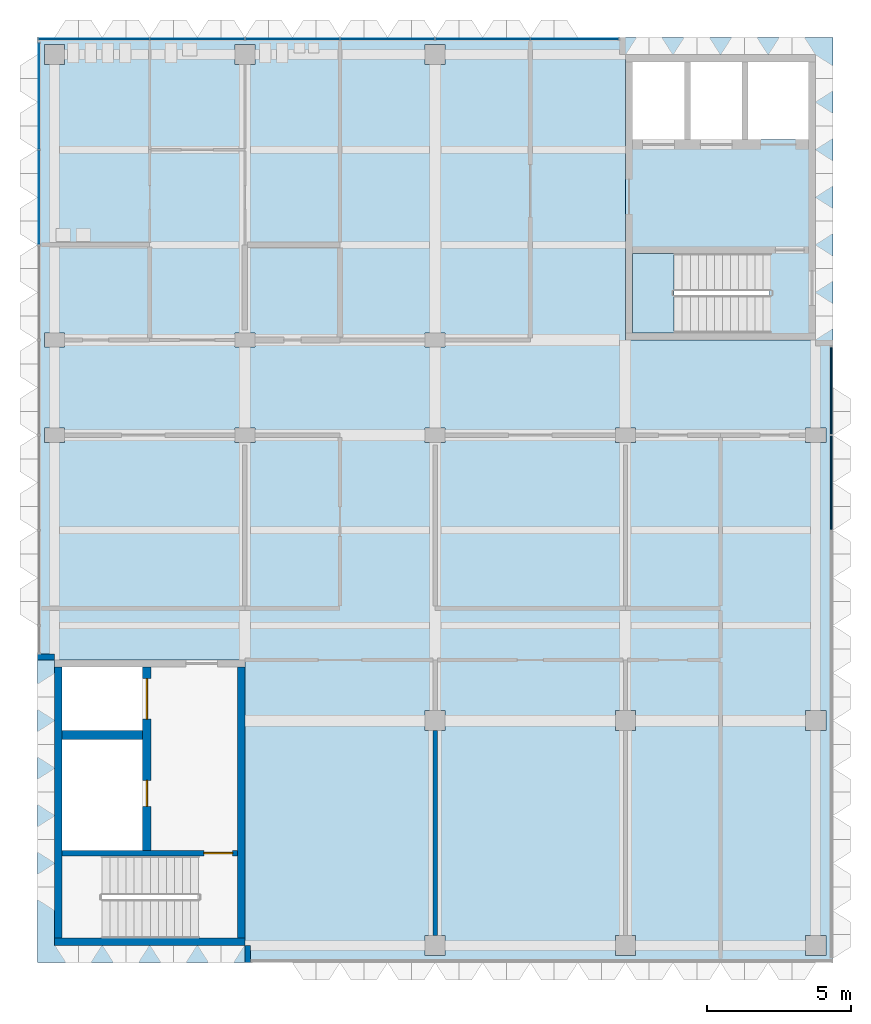
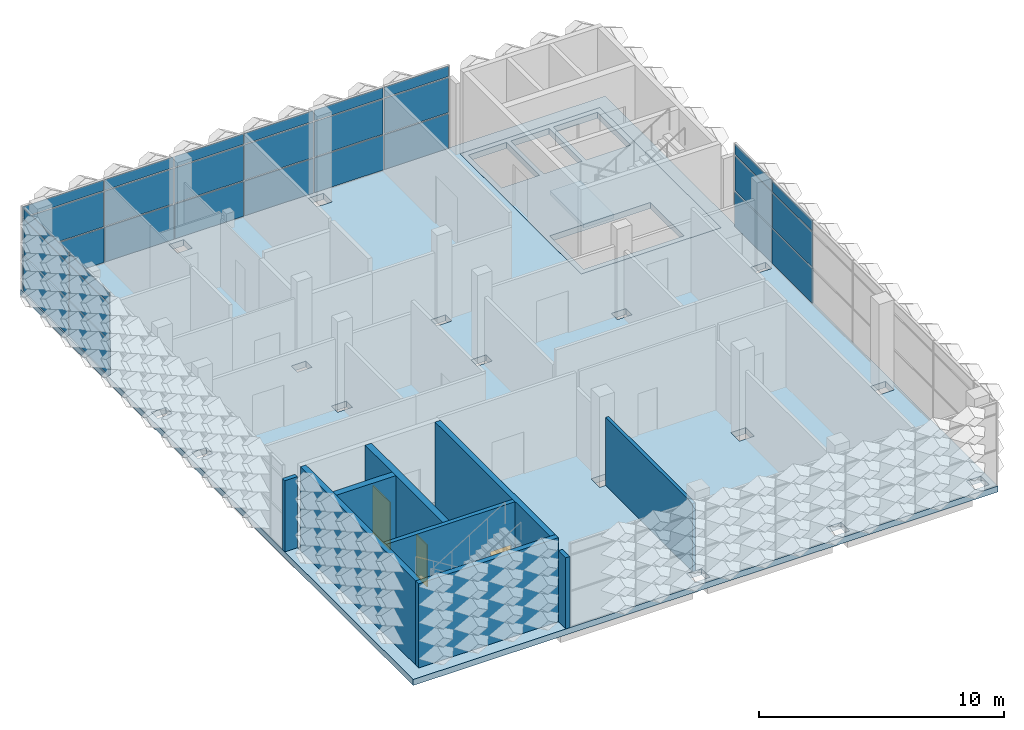
# One storey, part 8 of 28: 30 plates, 9 walls, 3 doors, 3 slabs, 3 openings, 4 elements without a shape of their own.
"""IFC4 building model written with IfcOpenShell, lengths in metres."""

from ifc_helpers import new_model, si_unit, direction, frame, frame_2d, origin, origin_2d, place, context, subcontext, project, spatial, polyline, rectangle, outline, extrude, material, layer, layer_set, type_object, element, fill, aggregate, save


model = new_model("IFC4")

# Units and contexts
model_context = context("Model", 3, precision=1e-05, world=origin(), true_north=direction((0.0, 1.0)))
body_context = subcontext(model_context, "Body", "Model", "MODEL_VIEW")
ifc_project = project(units=[si_unit("LENGTHUNIT", "METRE"), si_unit("AREAUNIT", "SQUARE_METRE"), si_unit("VOLUMEUNIT", "CUBIC_METRE"), si_unit("PLANEANGLEUNIT", "RADIAN"), si_unit("MASSUNIT", "GRAM", prefix="KILO")], contexts=[model_context])

# Site, building, storey
site_placement = place(None, origin())
site = spatial("IfcSite", under=ifc_project, at=site_placement, CompositionType="ELEMENT")
building_placement = place(site_placement, origin())
building = spatial("IfcBuilding", under=site, at=building_placement, Name="Lantern Court Research Institute", CompositionType="ELEMENT")
storey_placement = place(building_placement, frame((0.0, 0.0, 36.89990234375)))
storey = spatial("IfcBuildingStorey", under=building, at=storey_placement, Name="L08", CompositionType="ELEMENT", Elevation=36.89990234375)

# Curtain wall, plates
ifc_material_1 = material(Name="Aluminium alloy 6063-T6", Category="aluminium")
curtain_wall_type_1 = type_object("IfcCurtainWallType", Name="Curtain wall 20200 x 4200 x 120 aluminium frame", PredefinedType="NOTDEFINED", material=ifc_material_1)
curtain_wall_1_placement = place(storey_placement, origin())
curtain_wall_1 = element("IfcCurtainWall", 1, at=curtain_wall_1_placement, inside=storey, type_object=curtain_wall_type_1, Name="Curtain wall CW086", PredefinedType="NOTDEFINED")
ifc_material_2 = material(Name="Insulated aluminium spandrel panel", Category="aluminium")
ifc_layer_1 = layer(ifc_material_2, 0.06005859375)
ifc_layer_set_1 = layer_set([ifc_layer_1], Name="Insulated aluminium spandrel panel")
plate_type_1 = type_object("IfcPlateType", Name="Insulated spandrel panel 60 mm", PredefinedType="CURTAIN_PANEL", material=ifc_layer_set_1)
plate_1_placement = place(storey_placement, frame((54.16259765625, 23.639892578125, 0.050048828125), z_axis=(0.0, 0.0, 1.0), x_axis=(1.0, 0.0, 0.0)))
plate_1 = element("IfcPlate", 2, at=plate_1_placement, type_object=plate_type_1, Name="CW086 spandrel panel 1.1", PredefinedType="CURTAIN_PANEL", context=body_context, shape_type="SweptSolid", body=[
    extrude(rectangle(XDim=3.824951171875, YDim=0.06005859375, at=origin_2d()), origin(), (0.0, 0.0, 1.0), 1.72509765625),
])
plate_2_placement = place(storey_placement, frame((57.75, 23.639892578125, 0.050048828125), z_axis=(0.0, 0.0, 1.0), x_axis=(1.0, 0.0, 0.0)))
plate_2 = element("IfcPlate", 3, at=plate_2_placement, type_object=plate_type_1, Name="CW086 spandrel panel 2.1", PredefinedType="CURTAIN_PANEL", context=body_context, shape_type="SweptSolid", body=[
    extrude(rectangle(XDim=3.25, YDim=0.06005859375, at=origin_2d()), origin(), (0.0, 0.0, 1.0), 1.72509765625),
])
plate_3_placement = place(storey_placement, frame((61.050048828125, 23.639892578125, 0.050048828125), z_axis=(0.0, 0.0, 1.0), x_axis=(1.0, 0.0, 0.0)))
plate_3 = element("IfcPlate", 4, at=plate_3_placement, type_object=plate_type_1, Name="CW086 spandrel panel 3.1", PredefinedType="CURTAIN_PANEL", context=body_context, shape_type="SweptSolid", body=[
    extrude(rectangle(XDim=3.25, YDim=0.06005859375, at=origin_2d()), origin(), (0.0, 0.0, 1.0), 1.72509765625),
])
plate_4_placement = place(storey_placement, frame((64.35009765625, 23.639892578125, 0.050048828125), z_axis=(0.0, 0.0, 1.0), x_axis=(1.0, 0.0, 0.0)))
plate_4 = element("IfcPlate", 5, at=plate_4_placement, type_object=plate_type_1, Name="CW086 spandrel panel 4.1", PredefinedType="CURTAIN_PANEL", context=body_context, shape_type="SweptSolid", body=[
    extrude(rectangle(XDim=3.25, YDim=0.06005859375, at=origin_2d()), origin(), (0.0, 0.0, 1.0), 1.72509765625),
])
plate_5_placement = place(storey_placement, frame((67.64990234375, 23.639892578125, 0.050048828125), z_axis=(0.0, 0.0, 1.0), x_axis=(1.0, 0.0, 0.0)))
plate_5 = element("IfcPlate", 6, at=plate_5_placement, type_object=plate_type_1, Name="CW086 spandrel panel 5.1", PredefinedType="CURTAIN_PANEL", context=body_context, shape_type="SweptSolid", body=[
    extrude(rectangle(XDim=3.25, YDim=0.06005859375, at=origin_2d()), origin(), (0.0, 0.0, 1.0), 1.72509765625),
])
plate_6_placement = place(storey_placement, frame((70.83740234375, 23.639892578125, 0.050048828125), z_axis=(0.0, 0.0, 1.0), x_axis=(1.0, 0.0, 0.0)))
plate_6 = element("IfcPlate", 7, at=plate_6_placement, type_object=plate_type_1, Name="CW086 spandrel panel 6.1", PredefinedType="CURTAIN_PANEL", context=body_context, shape_type="SweptSolid", body=[
    extrude(rectangle(XDim=3.02490234375, YDim=0.06005859375, at=origin_2d()), origin(), (0.0, 0.0, 1.0), 1.72509765625),
])

ifc_material_3 = material(Name="Aluminium alloy 6063-T6", Category="aluminium")
curtain_wall_type_2 = type_object("IfcCurtainWallType", Name="Curtain wall 21250 x 4200 x 120 aluminium frame", PredefinedType="NOTDEFINED", material=ifc_material_3)
curtain_wall_2_placement = place(storey_placement, origin())
curtain_wall_2 = element("IfcCurtainWall", 8, at=curtain_wall_2_placement, inside=storey, type_object=curtain_wall_type_2, Name="Curtain wall CW085", PredefinedType="NOTDEFINED")
ifc_material_4 = material(Name="Insulated aluminium spandrel panel", Category="aluminium")
ifc_layer_2 = layer(ifc_material_4, 0.080078125)
ifc_layer_set_2 = layer_set([ifc_layer_2], Name="Insulated aluminium spandrel panel")
plate_type_2 = type_object("IfcPlateType", Name="Insulated spandrel panel 80 mm", PredefinedType="CURTAIN_PANEL", material=ifc_layer_set_2)
plate_7_placement = place(storey_placement, frame((79.739990234375, 8.25, 0.050048828125), z_axis=(0.0, 0.0, 1.0), x_axis=(0.0, -1.0, 0.0)))
plate_7 = element("IfcPlate", 9, at=plate_7_placement, type_object=plate_type_2, Name="CW085 spandrel panel 6.1", PredefinedType="CURTAIN_PANEL", context=body_context, shape_type="SweptSolid", body=[
    extrude(rectangle(XDim=3.25, YDim=0.080078125, at=origin_2d()), origin(), (0.0, 0.0, 1.0), 1.72509765625),
])
plate_8_placement = place(storey_placement, frame((79.739990234375, 11.4375, 0.050048828125), z_axis=(0.0, 0.0, 1.0), x_axis=(0.0, -1.0, 0.0)))
plate_8 = element("IfcPlate", 10, at=plate_8_placement, type_object=plate_type_2, Name="CW085 spandrel panel 7.1", PredefinedType="CURTAIN_PANEL", context=body_context, shape_type="SweptSolid", body=[
    extrude(rectangle(XDim=3.02490234375, YDim=0.080078125, at=origin_2d()), origin(), (0.0, 0.0, 1.0), 1.72509765625),
])

curtain_wall_3_placement = place(storey_placement, origin())
curtain_wall_3 = element("IfcCurtainWall", 11, at=curtain_wall_3_placement, inside=storey, type_object=curtain_wall_type_2, Name="Curtain wall CW088", PredefinedType="NOTDEFINED")
plate_9_placement = place(storey_placement, frame((52.260009765625, 18.14990234375, 0.050048828125), z_axis=(0.0, 0.0, 1.0), x_axis=(0.0, 1.0, 0.0)))
plate_9 = element("IfcPlate", 12, at=plate_9_placement, type_object=plate_type_2, Name="CW088 spandrel panel 6.1", PredefinedType="CURTAIN_PANEL", context=body_context, shape_type="SweptSolid", body=[
    extrude(rectangle(XDim=3.25, YDim=0.080078125, at=origin_2d()), origin(), (0.0, 0.0, 1.0), 1.72509765625),
])
plate_10_placement = place(storey_placement, frame((52.260009765625, 21.66259765625, 0.050048828125), z_axis=(0.0, 0.0, 1.0), x_axis=(0.0, 1.0, 0.0)))
plate_10 = element("IfcPlate", 13, at=plate_10_placement, type_object=plate_type_2, Name="CW088 spandrel panel 7.1", PredefinedType="CURTAIN_PANEL", context=body_context, shape_type="SweptSolid", body=[
    extrude(rectangle(XDim=3.675048828125, YDim=0.080078125, at=origin_2d()), origin(), (0.0, 0.0, 1.0), 1.72509765625),
])
ifc_material_5 = material(Name="Laminated low-emissivity glass", Category="glass")
ifc_layer_3 = layer(ifc_material_5, 0.031982421875)
ifc_layer_set_3 = layer_set([ifc_layer_3], Name="Laminated low-emissivity glass")
plate_type_3 = type_object("IfcPlateType", Name="Laminated low-emissivity unit 32 mm", PredefinedType="CURTAIN_PANEL", material=ifc_layer_set_3)
plate_11_placement = place(storey_placement, frame((52.260009765625, 18.14990234375, 1.8251953125), z_axis=(0.0, 0.0, 1.0), x_axis=(0.0, 1.0, 0.0)))
plate_11 = element("IfcPlate", 14, at=plate_11_placement, type_object=plate_type_3, Name="CW088 glazed panel 6.2", PredefinedType="CURTAIN_PANEL", context=body_context, shape_type="SweptSolid", body=[
    extrude(rectangle(XDim=3.25, YDim=0.031982421875, at=origin_2d()), origin(), (0.0, 0.0, 1.0), 1.75),
])
plate_12_placement = place(storey_placement, frame((52.260009765625, 18.14990234375, 3.625244140625), z_axis=(0.0, 0.0, 1.0), x_axis=(0.0, 1.0, 0.0)))
plate_12 = element("IfcPlate", 15, at=plate_12_placement, type_object=plate_type_3, Name="CW088 glazed panel 6.3", PredefinedType="CURTAIN_PANEL", context=body_context, shape_type="SweptSolid", body=[
    extrude(rectangle(XDim=3.25, YDim=0.031982421875, at=origin_2d()), origin(), (0.0, 0.0, 1.0), 0.52490234375),
])
plate_13_placement = place(storey_placement, frame((52.260009765625, 21.66259765625, 1.8251953125), z_axis=(0.0, 0.0, 1.0), x_axis=(0.0, 1.0, 0.0)))
plate_13 = element("IfcPlate", 16, at=plate_13_placement, type_object=plate_type_3, Name="CW088 glazed panel 7.2", PredefinedType="CURTAIN_PANEL", context=body_context, shape_type="SweptSolid", body=[
    extrude(rectangle(XDim=3.675048828125, YDim=0.031982421875, at=origin_2d()), origin(), (0.0, 0.0, 1.0), 1.75),
])
plate_14_placement = place(storey_placement, frame((52.260009765625, 21.66259765625, 3.625244140625), z_axis=(0.0, 0.0, 1.0), x_axis=(0.0, 1.0, 0.0)))
plate_14 = element("IfcPlate", 17, at=plate_14_placement, type_object=plate_type_3, Name="CW088 glazed panel 7.3", PredefinedType="CURTAIN_PANEL", context=body_context, shape_type="SweptSolid", body=[
    extrude(rectangle(XDim=3.675048828125, YDim=0.031982421875, at=origin_2d()), origin(), (0.0, 0.0, 1.0), 0.52490234375),
])
aggregate(curtain_wall_3, [plate_9, plate_11, plate_12, plate_10, plate_13, plate_14])

# Plate
ifc_material_6 = material(Name="Laminated low-emissivity glass", Category="glass")
ifc_layer_4 = layer(ifc_material_6, 0.02392578125)
ifc_layer_set_4 = layer_set([ifc_layer_4], Name="Laminated low-emissivity glass")
plate_type_4 = type_object("IfcPlateType", Name="Lightweight laminated unit 24 mm", PredefinedType="CURTAIN_PANEL", material=ifc_layer_set_4)
plate_15_placement = place(storey_placement, frame((54.16259765625, 23.639892578125, 1.8251953125), z_axis=(0.0, 0.0, 1.0), x_axis=(1.0, 0.0, 0.0)))
plate_15 = element("IfcPlate", 18, at=plate_15_placement, type_object=plate_type_4, Name="CW086 glazed panel 1.2", PredefinedType="CURTAIN_PANEL", context=body_context, shape_type="SweptSolid", body=[
    extrude(rectangle(XDim=3.824951171875, YDim=0.02392578125, at=origin_2d()), origin(), (0.0, 0.0, 1.0), 1.75),
])

plate_16_placement = place(storey_placement, frame((54.16259765625, 23.639892578125, 3.625244140625), z_axis=(0.0, 0.0, 1.0), x_axis=(1.0, 0.0, 0.0)))
plate_16 = element("IfcPlate", 19, at=plate_16_placement, type_object=plate_type_4, Name="CW086 glazed panel 1.3", PredefinedType="CURTAIN_PANEL", context=body_context, shape_type="SweptSolid", body=[
    extrude(rectangle(XDim=3.824951171875, YDim=0.02392578125, at=origin_2d()), origin(), (0.0, 0.0, 1.0), 0.52490234375),
])

plate_17_placement = place(storey_placement, frame((57.75, 23.639892578125, 1.8251953125), z_axis=(0.0, 0.0, 1.0), x_axis=(1.0, 0.0, 0.0)))
plate_17 = element("IfcPlate", 20, at=plate_17_placement, type_object=plate_type_4, Name="CW086 glazed panel 2.2", PredefinedType="CURTAIN_PANEL", context=body_context, shape_type="SweptSolid", body=[
    extrude(rectangle(XDim=3.25, YDim=0.02392578125, at=origin_2d()), origin(), (0.0, 0.0, 1.0), 1.75),
])

plate_18_placement = place(storey_placement, frame((57.75, 23.639892578125, 3.625244140625), z_axis=(0.0, 0.0, 1.0), x_axis=(1.0, 0.0, 0.0)))
plate_18 = element("IfcPlate", 21, at=plate_18_placement, type_object=plate_type_4, Name="CW086 glazed panel 2.3", PredefinedType="CURTAIN_PANEL", context=body_context, shape_type="SweptSolid", body=[
    extrude(rectangle(XDim=3.25, YDim=0.02392578125, at=origin_2d()), origin(), (0.0, 0.0, 1.0), 0.52490234375),
])

plate_19_placement = place(storey_placement, frame((61.050048828125, 23.639892578125, 1.8251953125), z_axis=(0.0, 0.0, 1.0), x_axis=(1.0, 0.0, 0.0)))
plate_19 = element("IfcPlate", 22, at=plate_19_placement, type_object=plate_type_4, Name="CW086 glazed panel 3.2", PredefinedType="CURTAIN_PANEL", context=body_context, shape_type="SweptSolid", body=[
    extrude(rectangle(XDim=3.25, YDim=0.02392578125, at=origin_2d()), origin(), (0.0, 0.0, 1.0), 1.75),
])

plate_20_placement = place(storey_placement, frame((61.050048828125, 23.639892578125, 3.625244140625), z_axis=(0.0, 0.0, 1.0), x_axis=(1.0, 0.0, 0.0)))
plate_20 = element("IfcPlate", 23, at=plate_20_placement, type_object=plate_type_4, Name="CW086 glazed panel 3.3", PredefinedType="CURTAIN_PANEL", context=body_context, shape_type="SweptSolid", body=[
    extrude(rectangle(XDim=3.25, YDim=0.02392578125, at=origin_2d()), origin(), (0.0, 0.0, 1.0), 0.52490234375),
])

plate_21_placement = place(storey_placement, frame((64.35009765625, 23.639892578125, 1.8251953125), z_axis=(0.0, 0.0, 1.0), x_axis=(1.0, 0.0, 0.0)))
plate_21 = element("IfcPlate", 24, at=plate_21_placement, type_object=plate_type_4, Name="CW086 glazed panel 4.2", PredefinedType="CURTAIN_PANEL", context=body_context, shape_type="SweptSolid", body=[
    extrude(rectangle(XDim=3.25, YDim=0.02392578125, at=origin_2d()), origin(), (0.0, 0.0, 1.0), 1.75),
])

plate_22_placement = place(storey_placement, frame((64.35009765625, 23.639892578125, 3.625244140625), z_axis=(0.0, 0.0, 1.0), x_axis=(1.0, 0.0, 0.0)))
plate_22 = element("IfcPlate", 25, at=plate_22_placement, type_object=plate_type_4, Name="CW086 glazed panel 4.3", PredefinedType="CURTAIN_PANEL", context=body_context, shape_type="SweptSolid", body=[
    extrude(rectangle(XDim=3.25, YDim=0.02392578125, at=origin_2d()), origin(), (0.0, 0.0, 1.0), 0.52490234375),
])

plate_23_placement = place(storey_placement, frame((67.64990234375, 23.639892578125, 1.8251953125), z_axis=(0.0, 0.0, 1.0), x_axis=(1.0, 0.0, 0.0)))
plate_23 = element("IfcPlate", 26, at=plate_23_placement, type_object=plate_type_4, Name="CW086 glazed panel 5.2", PredefinedType="CURTAIN_PANEL", context=body_context, shape_type="SweptSolid", body=[
    extrude(rectangle(XDim=3.25, YDim=0.02392578125, at=origin_2d()), origin(), (0.0, 0.0, 1.0), 1.75),
])

plate_24_placement = place(storey_placement, frame((67.64990234375, 23.639892578125, 3.625244140625), z_axis=(0.0, 0.0, 1.0), x_axis=(1.0, 0.0, 0.0)))
plate_24 = element("IfcPlate", 27, at=plate_24_placement, type_object=plate_type_4, Name="CW086 glazed panel 5.3", PredefinedType="CURTAIN_PANEL", context=body_context, shape_type="SweptSolid", body=[
    extrude(rectangle(XDim=3.25, YDim=0.02392578125, at=origin_2d()), origin(), (0.0, 0.0, 1.0), 0.52490234375),
])

plate_25_placement = place(storey_placement, frame((70.83740234375, 23.639892578125, 1.8251953125), z_axis=(0.0, 0.0, 1.0), x_axis=(1.0, 0.0, 0.0)))
plate_25 = element("IfcPlate", 28, at=plate_25_placement, type_object=plate_type_4, Name="CW086 glazed panel 6.2", PredefinedType="CURTAIN_PANEL", context=body_context, shape_type="SweptSolid", body=[
    extrude(rectangle(XDim=3.02490234375, YDim=0.02392578125, at=origin_2d()), origin(), (0.0, 0.0, 1.0), 1.75),
])

plate_26_placement = place(storey_placement, frame((70.83740234375, 23.639892578125, 3.625244140625), z_axis=(0.0, 0.0, 1.0), x_axis=(1.0, 0.0, 0.0)))
plate_26 = element("IfcPlate", 29, at=plate_26_placement, type_object=plate_type_4, Name="CW086 glazed panel 6.3", PredefinedType="CURTAIN_PANEL", context=body_context, shape_type="SweptSolid", body=[
    extrude(rectangle(XDim=3.02490234375, YDim=0.02392578125, at=origin_2d()), origin(), (0.0, 0.0, 1.0), 0.52490234375),
])

aggregate(curtain_wall_1, [plate_1, plate_15, plate_16, plate_2, plate_17, plate_18, plate_3, plate_19, plate_20, plate_4, plate_21, plate_22, plate_5, plate_23, plate_24, plate_6, plate_25, plate_26])

# Slabs
ifc_material_7 = material(Name="Concrete C35/45", Category="concrete")
ifc_layer_5 = layer(ifc_material_7, 0.300048828125)
ifc_layer_set_5 = layer_set([ifc_layer_5], Name="Concrete C35/45")
slab_type_1 = type_object("IfcSlabType", Name="RC core floor slab 300", PredefinedType="FLOOR", material=ifc_layer_set_5)
slab_1_placement = place(storey_placement, frame((0.0, 0.0, -0.2998046875)))
element("IfcSlab", 30, at=slab_1_placement, inside=storey, type_object=slab_type_1, Name="Floor of core TC-E", PredefinedType="FLOOR", context=body_context, shape_type="SweptSolid", body=[
    extrude(outline(polyline([(72.60009765625, 13.199951171875), (79.199951171875, 13.199951171875), (79.199951171875, 23.10009765625), (72.60009765625, 23.10009765625), (72.60009765625, 13.199951171875)]), holes=[polyline([(77.60009765625, 16.199951171875), (72.85009765625, 16.199951171875), (72.85009765625, 13.449951171875), (77.60009765625, 13.449951171875), (77.60009765625, 16.199951171875)]), polyline([(72.85009765625, 20.14990234375), (74.64990234375, 20.14990234375), (74.64990234375, 22.85009765625), (72.85009765625, 22.85009765625), (72.85009765625, 20.14990234375)]), polyline([(74.85009765625, 20.14990234375), (76.64990234375, 20.14990234375), (76.64990234375, 22.85009765625), (74.85009765625, 22.85009765625), (74.85009765625, 20.14990234375)]), polyline([(76.85009765625, 20.14990234375), (78.949951171875, 20.14990234375), (78.949951171875, 22.85009765625), (76.85009765625, 22.85009765625), (76.85009765625, 20.14990234375)])]), origin(), (0.0, 0.0, 1.0), 0.2998046875),
])
ifc_material_8 = material(Name="Concrete C35/45", Category="concrete")
ifc_layer_6 = layer(ifc_material_8, 0.300048828125)
ifc_layer_set_6 = layer_set([ifc_layer_6], Name="Concrete C35/45")
slab_type_2 = type_object("IfcSlabType", Name="RC floor slab 300", PredefinedType="FLOOR", material=ifc_layer_set_6)
slab_2_placement = place(storey_placement, frame((0.0, 0.0, -0.2998046875)))
element("IfcSlab", 31, at=slab_2_placement, inside=storey, type_object=slab_type_2, Name="Floor slab L08 Dry Laboratory and Clean Room Tower", PredefinedType="FLOOR", context=body_context, shape_type="SweptSolid", body=[
    extrude(outline(polyline([(52.199951171875, -7.800048828125), (52.199951171875, -8.39990234375), (79.800048828125, -8.39990234375), (79.800048828125, -7.800048828125), (79.800048828125, 23.10009765625), (79.800048828125, 23.699951171875), (52.199951171875, 23.699951171875), (52.199951171875, 23.10009765625), (52.199951171875, -7.800048828125)]), holes=[polyline([(66.35009765625, -7.449951171875), (66.35009765625, -8.14990234375), (65.64990234375, -8.14990234375), (65.64990234375, -7.449951171875), (66.35009765625, -7.449951171875)]), polyline([(59.39990234375, 2.10009765625), (59.39990234375, -7.800048828125), (52.800048828125, -7.800048828125), (52.800048828125, 2.10009765625), (59.39990234375, 2.10009765625)]), polyline([(66.35009765625, 0.35009765625), (66.35009765625, -0.35009765625), (65.64990234375, -0.35009765625), (65.64990234375, 0.35009765625), (66.35009765625, 0.35009765625)]), polyline([(53.14990234375, 10.14990234375), (53.14990234375, 9.64990234375), (52.449951171875, 9.64990234375), (52.449951171875, 10.14990234375), (53.14990234375, 10.14990234375)]), polyline([(59.75, 10.14990234375), (59.75, 9.64990234375), (59.050048828125, 9.64990234375), (59.050048828125, 10.14990234375), (59.75, 10.14990234375)]), polyline([(66.35009765625, 10.14990234375), (66.35009765625, 9.64990234375), (65.64990234375, 9.64990234375), (65.64990234375, 10.14990234375), (66.35009765625, 10.14990234375)]), polyline([(53.14990234375, 13.449951171875), (53.14990234375, 12.949951171875), (52.449951171875, 12.949951171875), (52.449951171875, 13.449951171875), (53.14990234375, 13.449951171875)]), polyline([(59.75, 12.949951171875), (59.050048828125, 12.949951171875), (59.050048828125, 13.449951171875), (59.75, 13.449951171875), (59.75, 12.949951171875)]), polyline([(53.14990234375, 22.75), (52.449951171875, 22.75), (52.449951171875, 23.449951171875), (53.14990234375, 23.449951171875), (53.14990234375, 22.75)]), polyline([(59.75, 23.449951171875), (59.75, 22.75), (59.050048828125, 22.75), (59.050048828125, 23.449951171875), (59.75, 23.449951171875)]), polyline([(72.949951171875, -7.449951171875), (72.949951171875, -8.14990234375), (72.25, -8.14990234375), (72.25, -7.449951171875), (72.949951171875, -7.449951171875)]), polyline([(79.550048828125, -7.449951171875), (79.550048828125, -8.14990234375), (78.85009765625, -8.14990234375), (78.85009765625, -7.449951171875), (79.550048828125, -7.449951171875)]), polyline([(72.949951171875, -0.35009765625), (72.25, -0.35009765625), (72.25, 0.35009765625), (72.949951171875, 0.35009765625), (72.949951171875, -0.35009765625)]), polyline([(79.550048828125, -0.35009765625), (78.85009765625, -0.35009765625), (78.85009765625, 0.35009765625), (79.550048828125, 0.35009765625), (79.550048828125, -0.35009765625)]), polyline([(72.949951171875, 10.14990234375), (72.949951171875, 9.64990234375), (72.25, 9.64990234375), (72.25, 10.14990234375), (72.949951171875, 10.14990234375)]), polyline([(79.550048828125, 10.14990234375), (79.550048828125, 9.64990234375), (78.85009765625, 9.64990234375), (78.85009765625, 10.14990234375), (79.550048828125, 10.14990234375)]), polyline([(66.35009765625, 13.449951171875), (66.35009765625, 12.949951171875), (65.64990234375, 12.949951171875), (65.64990234375, 13.449951171875), (66.35009765625, 13.449951171875)]), polyline([(79.199951171875, 13.199951171875), (72.60009765625, 13.199951171875), (72.60009765625, 23.10009765625), (79.199951171875, 23.10009765625), (79.199951171875, 13.199951171875)]), polyline([(66.35009765625, 22.75), (65.64990234375, 22.75), (65.64990234375, 23.449951171875), (66.35009765625, 23.449951171875), (66.35009765625, 22.75)])]), origin(), (0.0, 0.0, 1.0), 0.2998046875),
])

# Stair, slab
ifc_material_9 = material(Name="Concrete C40/50", Category="concrete")
stair_type = type_object("IfcStairType", Name="RC half-turn stair 1300 wide, 4500 rise, 6100 shaft", PredefinedType="HALF_TURN_STAIR", material=ifc_material_9)
stair_placement = place(storey_placement, origin())
stair = element("IfcStair", 32, at=stair_placement, inside=storey, type_object=stair_type, Name="L08 stair ST-T2", PredefinedType="HALF_TURN_STAIR")
ifc_material_10 = material(Name="Concrete C40/50", Category="concrete")
ifc_layer_7 = layer(ifc_material_10, 0.199951171875)
ifc_layer_set_7 = layer_set([ifc_layer_7], Name="Concrete C40/50")
slab_type_3 = type_object("IfcSlabType", Name="RC stair landing 200", PredefinedType="LANDING", material=ifc_layer_set_7)
slab_3_placement = place(storey_placement, frame((0.0, 0.0, 2.050048828125)))
slab_3 = element("IfcSlab", 33, at=slab_3_placement, type_object=slab_type_3, Name="ST-T2 landing 1", PredefinedType="LANDING", context=body_context, shape_type="SweptSolid", body=[
    extrude(outline(polyline([(74.2900390625, 16.199951171875), (72.85009765625, 16.199951171875), (72.85009765625, 13.449951171875), (74.2900390625, 13.449951171875), (74.2900390625, 16.199951171875)])), origin(), (0.0, 0.0, 1.0), 0.199951171875),
])
aggregate(stair, [slab_3])

# Plate
ifc_material_11 = material(Name="Laminated low-emissivity glass", Category="glass")
ifc_layer_8 = layer(ifc_material_11, 0.035888671875)
ifc_layer_set_8 = layer_set([ifc_layer_8], Name="Laminated low-emissivity glass")
plate_type_5 = type_object("IfcPlateType", Name="Solar control laminated unit 36 mm", PredefinedType="CURTAIN_PANEL", material=ifc_layer_set_8)
plate_27_placement = place(storey_placement, frame((79.739990234375, 8.25, 1.8251953125), z_axis=(0.0, 0.0, 1.0), x_axis=(0.0, -1.0, 0.0)))
plate_27 = element("IfcPlate", 34, at=plate_27_placement, type_object=plate_type_5, Name="CW085 glazed panel 6.2", PredefinedType="CURTAIN_PANEL", context=body_context, shape_type="SweptSolid", body=[
    extrude(rectangle(XDim=3.25, YDim=0.035888671875, at=origin_2d()), origin(), (0.0, 0.0, 1.0), 1.75),
])

plate_28_placement = place(storey_placement, frame((79.739990234375, 8.25, 3.625244140625), z_axis=(0.0, 0.0, 1.0), x_axis=(0.0, -1.0, 0.0)))
plate_28 = element("IfcPlate", 35, at=plate_28_placement, type_object=plate_type_5, Name="CW085 glazed panel 6.3", PredefinedType="CURTAIN_PANEL", context=body_context, shape_type="SweptSolid", body=[
    extrude(rectangle(XDim=3.25, YDim=0.035888671875, at=origin_2d()), origin(), (0.0, 0.0, 1.0), 0.52490234375),
])

plate_29_placement = place(storey_placement, frame((79.739990234375, 11.4375, 1.8251953125), z_axis=(0.0, 0.0, 1.0), x_axis=(0.0, -1.0, 0.0)))
plate_29 = element("IfcPlate", 36, at=plate_29_placement, type_object=plate_type_5, Name="CW085 glazed panel 7.2", PredefinedType="CURTAIN_PANEL", context=body_context, shape_type="SweptSolid", body=[
    extrude(rectangle(XDim=3.02490234375, YDim=0.035888671875, at=origin_2d()), origin(), (0.0, 0.0, 1.0), 1.75),
])

plate_30_placement = place(storey_placement, frame((79.739990234375, 11.4375, 3.625244140625), z_axis=(0.0, 0.0, 1.0), x_axis=(0.0, -1.0, 0.0)))
plate_30 = element("IfcPlate", 37, at=plate_30_placement, type_object=plate_type_5, Name="CW085 glazed panel 7.3", PredefinedType="CURTAIN_PANEL", context=body_context, shape_type="SweptSolid", body=[
    extrude(rectangle(XDim=3.02490234375, YDim=0.035888671875, at=origin_2d()), origin(), (0.0, 0.0, 1.0), 0.52490234375),
])

aggregate(curtain_wall_2, [plate_7, plate_27, plate_28, plate_8, plate_29, plate_30])

# Walls
ifc_material_12 = material(Name="Fire-rated gypsum board partition, mineral wool filled")
ifc_layer_9 = layer(ifc_material_12, 0.14990234375)
ifc_layer_set_9 = layer_set([ifc_layer_9], Name="Fire-rated gypsum board partition, mineral wool filled")
wall_type_1 = type_object("IfcWallType", Name="Laboratory partition 150 EI 60", PredefinedType="PARTITIONING", material=ifc_layer_set_9)
wall_1_placement = place(storey_placement, frame((66.0, -7.449951171875, 0.0), z_axis=(0.0, 0.0, 1.0), x_axis=(0.0, 1.0, 0.0)))
element("IfcWall", 38, at=wall_1_placement, inside=storey, type_object=wall_type_1, Name="Laboratory partition 150 EI 60", PredefinedType="PARTITIONING", context=body_context, shape_type="SweptSolid", body=[
    extrude(rectangle(XDim=7.099853515625, YDim=0.14990234375, at=frame_2d((3.5498046875, 0.0))), origin(), (0.0, 0.0, 1.0), 3.400146484375),
])
ifc_material_13 = material(Name="Concrete C40/50", Category="concrete")
ifc_layer_10 = layer(ifc_material_13, 0.25)
ifc_layer_set_10 = layer_set([ifc_layer_10], Name="Concrete C40/50")
wall_type_2 = type_object("IfcWallType", Name="RC core wall 250", PredefinedType="SHEAR", material=ifc_layer_set_10)
wall_2_placement = place(storey_placement, frame((59.27490234375, 1.85009765625, 0.0), z_axis=(0.0, 0.0, 1.0), x_axis=(0.0, -1.0, 0.0)))
element("IfcWall", 39, at=wall_2_placement, inside=storey, type_object=wall_type_2, Name="East wall of core TC-W", PredefinedType="SHEAR", context=body_context, shape_type="SweptSolid", body=[
    extrude(rectangle(XDim=9.400146484375, YDim=0.25, at=frame_2d((4.7001953125, 0.0))), origin(), (0.0, 0.0, 1.0), 4.2001953125),
])
ifc_material_14 = material(Name="Concrete C40/50", Category="concrete")
ifc_layer_11 = layer(ifc_material_14, 0.25)
ifc_layer_set_11 = layer_set([ifc_layer_11], Name="Concrete C40/50")
wall_type_3 = type_object("IfcWallType", Name="RC core wall 250 facade", PredefinedType="SHEAR", material=ifc_layer_set_11)
wall_3_placement = place(storey_placement, frame((59.39990234375, -7.675048828125, 0.0), z_axis=(0.0, 0.0, 1.0), x_axis=(-1.0, 0.0, 0.0)))
element("IfcWall", 40, at=wall_3_placement, inside=storey, type_object=wall_type_3, Name="South wall of core TC-W", PredefinedType="SHEAR", context=body_context, shape_type="SweptSolid", body=[
    extrude(rectangle(XDim=6.599853515625, YDim=0.25, at=frame_2d((3.2998046875, 0.0))), origin(), (0.0, 0.0, 1.0), 4.2001953125),
])
wall_4_placement = place(storey_placement, frame((52.925048828125, 1.85009765625, 0.0), z_axis=(0.0, 0.0, 1.0), x_axis=(0.0, -1.0, 0.0)))
element("IfcWall", 41, at=wall_4_placement, inside=storey, type_object=wall_type_3, Name="West wall of core TC-W", PredefinedType="SHEAR", context=body_context, shape_type="SweptSolid", body=[
    extrude(rectangle(XDim=9.400146484375, YDim=0.25, at=frame_2d((4.7001953125, 0.0))), origin(), (0.0, 0.0, 1.0), 4.2001953125),
])

# Wall, opening, door
ifc_material_15 = material(Name="Concrete C40/50", Category="concrete")
ifc_layer_12 = layer(ifc_material_15, 0.199951171875)
ifc_layer_set_12 = layer_set([ifc_layer_12], Name="Concrete C40/50")
wall_type_4 = type_object("IfcWallType", Name="RC shaft wall 200", PredefinedType="SHEAR", material=ifc_layer_set_12)
wall_5_placement = place(storey_placement, frame((59.14990234375, -4.60009765625, 0.0), z_axis=(0.0, 0.0, 1.0), x_axis=(-1.0, 0.0, 0.0)))
wall_5 = element("IfcWall", 42, at=wall_5_placement, inside=storey, type_object=wall_type_4, Name="Stair wall of core TC-W", PredefinedType="SHEAR", context=body_context, shape_type="SweptSolid", body=[
    extrude(rectangle(XDim=6.099853515625, YDim=0.199951171875, at=frame_2d((3.0498046875, 0.0))), origin(), (0.0, 0.0, 1.0), 4.2001953125),
])
opening_1_placement = place(wall_5_placement, frame((0.175048828125, 0.0, 0.0)))
opening_1 = element("IfcOpeningElement", 43, at=opening_1_placement, cuts=wall_5, Name="Opening D7134", PredefinedType="OPENING", context=body_context, shape_type="SweptSolid", body=[
    extrude(rectangle(XDim=1.0, YDim=2.10009765625, at=frame_2d((0.5, 1.050048828125))), frame((0.0, 0.10986328125, 0.0), z_axis=(0.0, -1.0, 0.0), x_axis=(1.0, 0.0, 0.0)), (0.0, 0.0, 1.0), 0.219970703125),
])
ifc_material_16 = material(Name="Steel fire door leaf with smoke seals", Category="steel")
door_type_1 = type_object("IfcDoorType", Name="Door 1000 x 2100 fire rated FD60S", OperationType="NOTDEFINED", PredefinedType="DOOR", material=ifc_material_16)
door_1_placement = place(opening_1_placement, origin())
door_1 = element("IfcDoor", 44, at=door_1_placement, inside=storey, type_object=door_type_1, Name="Stair door", OperationType="SINGLE_SWING_RIGHT", OverallHeight=2.10009765625, OverallWidth=1.0, PredefinedType="DOOR", context=body_context, shape_type="SweptSolid", body=[
    extrude(rectangle(XDim=1.0, YDim=2.10009765625, at=frame_2d((0.5, 1.050048828125))), frame((0.0, 0.02490234375, 0.0), z_axis=(0.0, -1.0, 0.0), x_axis=(1.0, 0.0, 0.0)), (0.0, 0.0, 1.0), 0.050048828125),
])
fill(opening_1, door_1)

# Wall, openings, doors
ifc_material_17 = material(Name="Concrete C40/50", Category="concrete")
ifc_layer_13 = layer(ifc_material_17, 0.300048828125)
ifc_layer_set_13 = layer_set([ifc_layer_13], Name="Concrete C40/50")
wall_type_5 = type_object("IfcWallType", Name="RC shaft wall 300", PredefinedType="SHEAR", material=ifc_layer_set_13)
wall_6_placement = place(storey_placement, frame((56.0, 1.85009765625, 0.0), z_axis=(0.0, 0.0, 1.0), x_axis=(0.0, -1.0, 0.0)))
wall_6 = element("IfcWall", 45, at=wall_6_placement, inside=storey, type_object=wall_type_5, Name="Lift shaft wall of core TC-W", PredefinedType="SHEAR", context=body_context, shape_type="SweptSolid", body=[
    extrude(rectangle(XDim=6.35009765625, YDim=0.300048828125, at=frame_2d((3.175048828125, 0.0))), origin(), (0.0, 0.0, 1.0), 4.2001953125),
])
opening_2_placement = place(wall_6_placement, frame((3.925048828125, 0.0, 0.0)))
opening_2 = element("IfcOpeningElement", 46, at=opening_2_placement, cuts=wall_6, Name="Opening D7132", PredefinedType="OPENING", context=body_context, shape_type="SweptSolid", body=[
    extrude(rectangle(XDim=0.89990234375, YDim=2.10009765625, at=frame_2d((0.449951171875, 1.050048828125))), frame((0.0, 0.159912109375, 0.0), z_axis=(0.0, -1.0, 0.0), x_axis=(1.0, 0.0, 0.0)), (0.0, 0.0, 1.0), 0.320068359375),
])
opening_3_placement = place(wall_6_placement, frame((0.39990234375, 0.0, 0.0)))
opening_3 = element("IfcOpeningElement", 47, at=opening_3_placement, cuts=wall_6, Name="Opening D7135", PredefinedType="OPENING", context=body_context, shape_type="SweptSolid", body=[
    extrude(rectangle(XDim=1.39990234375, YDim=2.39990234375, at=frame_2d((0.699951171875, 1.199951171875))), frame((0.0, 0.159912109375, 0.0), z_axis=(0.0, -1.0, 0.0), x_axis=(1.0, 0.0, 0.0)), (0.0, 0.0, 1.0), 0.320068359375),
])
ifc_material_18 = material(Name="Steel fire door leaf", Category="steel")
door_type_2 = type_object("IfcDoorType", Name="Door 900 x 2100 fire rated FD60", OperationType="NOTDEFINED", PredefinedType="DOOR", material=ifc_material_18)
door_2_placement = place(opening_2_placement, origin())
door_2 = element("IfcDoor", 48, at=door_2_placement, inside=storey, type_object=door_type_2, Name="Riser door", OperationType="SINGLE_SWING_RIGHT", OverallHeight=2.10009765625, OverallWidth=0.89990234375, PredefinedType="DOOR", context=body_context, shape_type="SweptSolid", body=[
    extrude(rectangle(XDim=0.89990234375, YDim=2.10009765625, at=frame_2d((0.449951171875, 1.050048828125))), frame((0.0, 0.02490234375, 0.0), z_axis=(0.0, -1.0, 0.0), x_axis=(1.0, 0.0, 0.0)), (0.0, 0.0, 1.0), 0.050048828125),
])
fill(opening_2, door_2)
ifc_material_19 = material(Name="Stainless steel landing door panels", Category="steel")
door_type_3 = type_object("IfcDoorType", Name="Lift landing door 1400 x 2400 sliding FD60", OperationType="DOUBLE_DOOR_SLIDING", PredefinedType="NOTDEFINED", material=ifc_material_19)
door_3_placement = place(opening_3_placement, origin())
door_3 = element("IfcDoor", 49, at=door_3_placement, inside=storey, type_object=door_type_3, Name="Landing door", OperationType="DOUBLE_DOOR_SLIDING", OverallHeight=2.39990234375, OverallWidth=1.39990234375, PredefinedType="NOTDEFINED", context=body_context, shape_type="SweptSolid", body=[
    extrude(rectangle(XDim=1.39990234375, YDim=2.39990234375, at=frame_2d((0.699951171875, 1.199951171875))), frame((0.0, 0.02490234375, 0.0), z_axis=(0.0, -1.0, 0.0), x_axis=(1.0, 0.0, 0.0)), (0.0, 0.0, 1.0), 0.050048828125),
])
fill(opening_3, door_3)

# Walls
wall_7_placement = place(storey_placement, frame((55.85009765625, -0.5, 0.0), z_axis=(0.0, 0.0, 1.0), x_axis=(-1.0, 0.0, 0.0)))
element("IfcWall", 50, at=wall_7_placement, inside=storey, type_object=wall_type_5, Name="Lift shaft wall of core TC-W", PredefinedType="SHEAR", context=body_context, shape_type="SweptSolid", body=[
    extrude(rectangle(XDim=2.800048828125, YDim=0.300048828125, at=frame_2d((1.39990234375, 0.0))), origin(), (0.0, 0.0, 1.0), 4.2001953125),
])
ifc_material_20 = material(Name="Concrete C40/50", Category="concrete")
ifc_layer_14 = layer(ifc_material_20, 0.199951171875)
ifc_layer_set_14 = layer_set([ifc_layer_14], Name="Concrete C40/50")
wall_type_6 = type_object("IfcWallType", Name="Return wall 200 concrete EI 120 aluminium faced", PredefinedType="STANDARD", material=ifc_layer_set_14)
wall_8_placement = place(storey_placement, frame((59.5, -7.800048828125, 0.0), z_axis=(0.0, 0.0, 1.0), x_axis=(0.0, -1.0, 0.0)))
element("IfcWall", 51, at=wall_8_placement, inside=storey, type_object=wall_type_6, Name="Core return wall 65", PredefinedType="STANDARD", context=body_context, shape_type="SweptSolid", body=[
    extrude(rectangle(XDim=0.599853515625, YDim=0.199951171875, at=frame_2d((0.2998046875, 0.0))), origin(), (0.0, 0.0, 1.0), 3.550048828125),
])
wall_9_placement = place(storey_placement, frame((52.800048828125, 2.199951171875, 0.0), z_axis=(0.0, 0.0, 1.0), x_axis=(-1.0, 0.0, 0.0)))
element("IfcWall", 52, at=wall_9_placement, inside=storey, type_object=wall_type_6, Name="Core return wall 66", PredefinedType="STANDARD", context=body_context, shape_type="SweptSolid", body=[
    extrude(rectangle(XDim=0.60009765625, YDim=0.199951171875, at=frame_2d((0.300048828125, 0.0))), origin(), (0.0, 0.0, 1.0), 3.550048828125),
])

save(model, "model.ifc")
